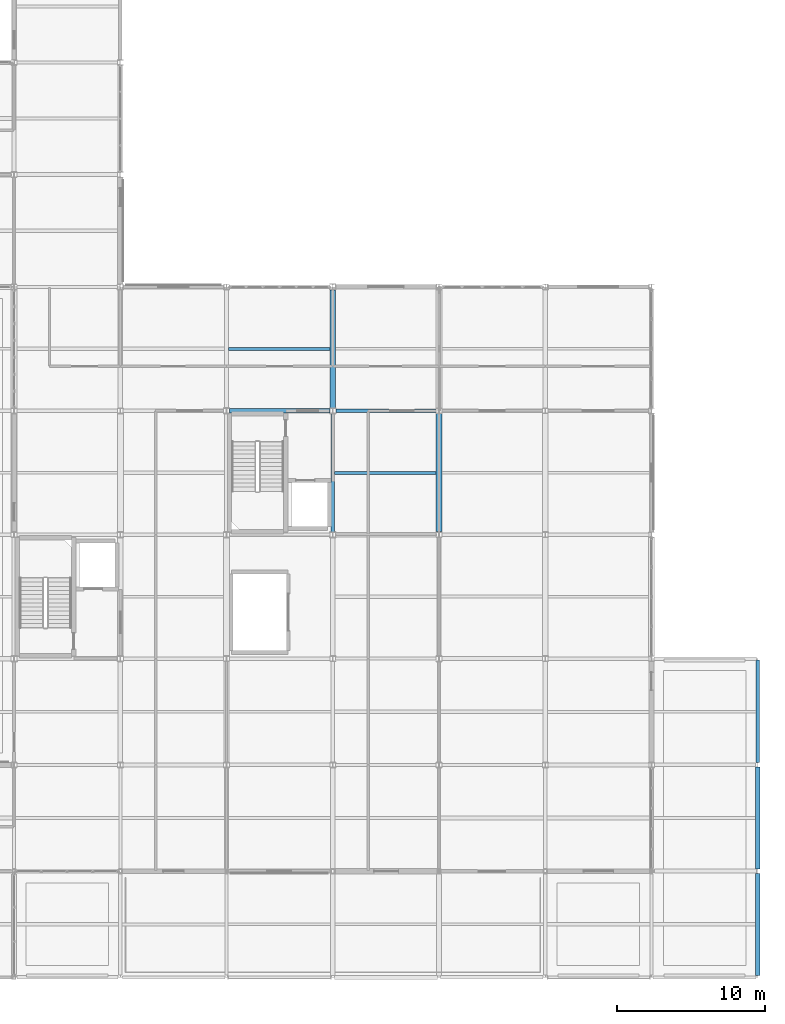
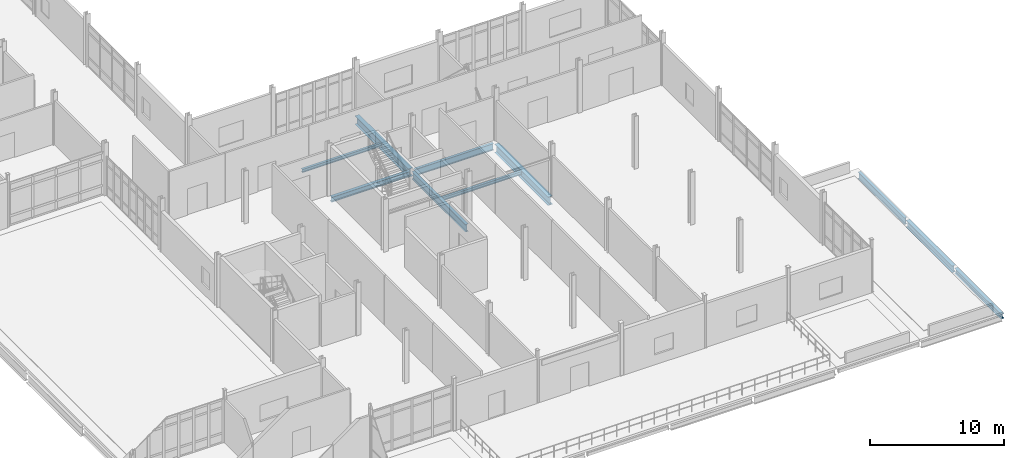
# One storey, part 107 of 186: 10 beams.
"""IFC4 building model written with IfcOpenShell, lengths in metres."""

from ifc_helpers import new_model, si_unit, direction, frame, origin, origin_2d, place, context, subcontext, project, spatial, i_section, extrude, material, material_profile, profile_set, type_object, element, save


model = new_model("IFC4")

# Units and contexts
model_context = context("Model", 3, precision=1e-05, world=origin(), true_north=direction((0.0, 1.0)))
body_context = subcontext(model_context, "Body", "Model", "MODEL_VIEW")
ifc_project = project(units=[si_unit("LENGTHUNIT", "METRE"), si_unit("AREAUNIT", "SQUARE_METRE"), si_unit("VOLUMEUNIT", "CUBIC_METRE"), si_unit("PLANEANGLEUNIT", "RADIAN"), si_unit("MASSUNIT", "GRAM", prefix="KILO")], contexts=[model_context])

# Site, building, storey
site_placement = place(None, origin())
site = spatial("IfcSite", under=ifc_project, at=site_placement, CompositionType="ELEMENT")
building_placement = place(site_placement, origin())
building = spatial("IfcBuilding", under=site, at=building_placement, Name="Calvrana Isthmian Art Gallery", CompositionType="ELEMENT")
storey_placement = place(building_placement, frame((0.0, 0.0, 5.39990234375)))
storey = spatial("IfcBuildingStorey", under=building, at=storey_placement, Name="L01", CompositionType="ELEMENT", Elevation=5.39990234375)

# Beams
ifc_material = material(Name="Steel ASTM A992 Gr 50", Category="steel")
ifc_material_profile_1 = material_profile(ifc_material, i_section(OverallWidth=0.279052734375, OverallDepth=0.4619140625, WebThickness=0.0107421875, FlangeThickness=0.017333984375, FilletRadius=0.02001953125, at=origin_2d()), Name="W18X76")
ifc_profile_set_1 = profile_set([ifc_material_profile_1], Name="Steel ASTM A992 Gr 50")
beam_type_1 = type_object("IfcBeamType", Name="BM-G-W18X76", PredefinedType="BEAM", material=ifc_profile_set_1)
beam_1_placement = place(storey_placement, frame((127.403076171875, 38.39990234375, -0.475830078125), z_axis=(1.0, 0.0, 0.0), x_axis=(0.0, 1.0, 0.0)))
element("IfcBeam", 1, at=beam_1_placement, inside=storey, type_object=beam_type_1, Name="Girder X L01 17-18/F", PredefinedType="BEAM", context=body_context, shape_type="SweptSolid", body=[
    extrude(i_section(OverallWidth=0.279052734375, OverallDepth=0.4619140625, WebThickness=0.0107421875, FlangeThickness=0.017333984375, FilletRadius=0.02001953125, at=origin_2d()), origin(), (0.0, 0.0, 1.0), 6.79638671875),
])
beam_2_placement = place(storey_placement, frame((163.199951171875, 0.126953125, -0.475830078125), z_axis=(0.0, 1.0, 0.0), x_axis=(-1.0, 0.0, 0.0)))
element("IfcBeam", 2, at=beam_2_placement, inside=storey, type_object=beam_type_1, Name="Girder Y L01 22/A-B", PredefinedType="BEAM", context=body_context, shape_type="SweptSolid", body=[
    extrude(i_section(OverallWidth=0.279052734375, OverallDepth=0.4619140625, WebThickness=0.0107421875, FlangeThickness=0.017333984375, FilletRadius=0.02001953125, at=origin_2d()), origin(), (0.0, 0.0, 1.0), 6.920654296875),
])
ifc_material_profile_2 = material_profile(ifc_material, i_section(OverallWidth=0.324951171875, OverallDepth=0.612060546875, WebThickness=0.0126953125, FlangeThickness=0.01904296875, FilletRadius=0.02197265625, at=origin_2d()), Name="W24X104")
ifc_profile_set_2 = profile_set([ifc_material_profile_2], Name="Steel ASTM A992 Gr 50")
beam_type_2 = type_object("IfcBeamType", Name="BM-G-W24X104", PredefinedType="BEAM", material=ifc_profile_set_2)
beam_3_placement = place(storey_placement, frame((163.199951171875, 7.352294921875, -0.55078125), z_axis=(0.0, 1.0, 0.0), x_axis=(-1.0, 0.0, 0.0)))
element("IfcBeam", 3, at=beam_3_placement, inside=storey, type_object=beam_type_2, Name="Girder Y L01 22/B-C", PredefinedType="BEAM", context=body_context, shape_type="SweptSolid", body=[
    extrude(i_section(OverallWidth=0.324951171875, OverallDepth=0.612060546875, WebThickness=0.0126953125, FlangeThickness=0.01904296875, FilletRadius=0.02197265625, at=origin_2d()), origin(), (0.0, 0.0, 1.0), 6.895263671875),
])
ifc_material_profile_3 = material_profile(ifc_material, i_section(OverallWidth=0.22802734375, OverallDepth=0.60693359375, WebThickness=0.01123046875, FlangeThickness=0.017333984375, FilletRadius=0.02197265625, at=origin_2d()), Name="W24X76")
ifc_profile_set_3 = profile_set([ifc_material_profile_3], Name="Steel ASTM A992 Gr 50")
beam_type_3 = type_object("IfcBeamType", Name="BM-G-W24X76", PredefinedType="BEAM", material=ifc_profile_set_3)
beam_4_placement = place(storey_placement, frame((134.6005859375, 38.39990234375, -0.54833984375), z_axis=(1.0, 0.0, 0.0), x_axis=(0.0, 1.0, 0.0)))
element("IfcBeam", 4, at=beam_4_placement, inside=storey, type_object=beam_type_3, Name="Girder X L01 18-19/F", PredefinedType="BEAM", context=body_context, shape_type="SweptSolid", body=[
    extrude(i_section(OverallWidth=0.22802734375, OverallDepth=0.60693359375, WebThickness=0.01123046875, FlangeThickness=0.017333984375, FilletRadius=0.02197265625, at=origin_2d()), origin(), (0.0, 0.0, 1.0), 6.7998046875),
])
beam_5_placement = place(storey_placement, frame((163.199951171875, 14.552490234375, -0.54833984375), z_axis=(0.0, 1.0, 0.0), x_axis=(-1.0, 0.0, 0.0)))
element("IfcBeam", 5, at=beam_5_placement, inside=storey, type_object=beam_type_3, Name="Girder Y L01 22/C-D", PredefinedType="BEAM", context=body_context, shape_type="SweptSolid", body=[
    extrude(i_section(OverallWidth=0.22802734375, OverallDepth=0.60693359375, WebThickness=0.01123046875, FlangeThickness=0.017333984375, FilletRadius=0.02197265625, at=origin_2d()), origin(), (0.0, 0.0, 1.0), 6.94580078125),
])
ifc_material_profile_4 = material_profile(ifc_material, i_section(OverallWidth=0.257080078125, OverallDepth=0.693115234375, WebThickness=0.014404296875, FlangeThickness=0.023681640625, FilletRadius=0.02392578125, at=origin_2d()), Name="W27X114")
ifc_profile_set_4 = profile_set([ifc_material_profile_4], Name="Steel ASTM A992 Gr 50")
beam_type_4 = type_object("IfcBeamType", Name="BM-G-W27X114", PredefinedType="BEAM", material=ifc_profile_set_4)
beam_6_placement = place(storey_placement, frame((134.39990234375, 30.197021484375, -0.59130859375), z_axis=(0.0, 1.0, 0.0), x_axis=(-1.0, 0.0, 0.0)))
element("IfcBeam", 6, at=beam_6_placement, inside=storey, type_object=beam_type_4, Name="Girder Y L01 18/E-F", PredefinedType="BEAM", context=body_context, shape_type="SweptSolid", body=[
    extrude(i_section(OverallWidth=0.257080078125, OverallDepth=0.693115234375, WebThickness=0.014404296875, FlangeThickness=0.023681640625, FilletRadius=0.02392578125, at=origin_2d()), origin(), (0.0, 0.0, 1.0), 8.00341796875),
])
ifc_material_profile_5 = material_profile(ifc_material, i_section(OverallWidth=0.381103515625, OverallDepth=0.77197265625, WebThickness=0.0166015625, FlangeThickness=0.027099609375, FilletRadius=0.02490234375, at=origin_2d()), Name="W30X173")
ifc_profile_set_5 = profile_set([ifc_material_profile_5], Name="Steel ASTM A992 Gr 50")
beam_type_5 = type_object("IfcBeamType", Name="BM-G-W30X173", PredefinedType="BEAM", material=ifc_profile_set_5)
beam_7_placement = place(storey_placement, frame((134.39990234375, 38.599609375, -0.630859375), z_axis=(0.0, 1.0, 0.0), x_axis=(-1.0, 0.0, 0.0)))
element("IfcBeam", 7, at=beam_7_placement, inside=storey, type_object=beam_type_5, Name="Girder Y L01 18/F-G", PredefinedType="BEAM", context=body_context, shape_type="SweptSolid", body=[
    extrude(i_section(OverallWidth=0.381103515625, OverallDepth=0.77197265625, WebThickness=0.0166015625, FlangeThickness=0.027099609375, FilletRadius=0.02490234375, at=origin_2d()), origin(), (0.0, 0.0, 1.0), 7.997314453125),
])
beam_8_placement = place(storey_placement, frame((141.60009765625, 30.20849609375, -0.630859375), z_axis=(0.0, 1.0, 0.0), x_axis=(-1.0, 0.0, 0.0)))
element("IfcBeam", 8, at=beam_8_placement, inside=storey, type_object=beam_type_5, Name="Girder Y L01 19/E-F", PredefinedType="BEAM", context=body_context, shape_type="SweptSolid", body=[
    extrude(i_section(OverallWidth=0.381103515625, OverallDepth=0.77197265625, WebThickness=0.0166015625, FlangeThickness=0.027099609375, FilletRadius=0.02490234375, at=origin_2d()), origin(), (0.0, 0.0, 1.0), 7.99853515625),
])
ifc_material_profile_6 = material_profile(ifc_material, i_section(OverallWidth=0.202880859375, OverallDepth=0.302001953125, WebThickness=0.007568359375, FlangeThickness=0.01318359375, FilletRadius=0.01611328125, at=origin_2d()), Name="W12X40")
ifc_profile_set_6 = profile_set([ifc_material_profile_6], Name="Steel ASTM A992 Gr 50")
beam_type_6 = type_object("IfcBeamType", Name="BM-J-W12X40", PredefinedType="JOIST", material=ifc_profile_set_6)
for number, where, z_axis, x_axis, name in (
    (9, (127.32861328125, 42.60009765625, -0.39599609375), (1.0, 0.0, 0.0), (0.0, 1.0, 0.0), "Composite joist L01 bay 16-05"),
    (10, (134.528564453125, 34.199951171875, -0.39599609375), (1.0, 0.0, 0.0), (0.0, 1.0, 0.0), "Composite joist L01 bay 17-04"),
):
    element("IfcBeam", number, at=place(storey_placement, frame(where, z_axis=z_axis, x_axis=x_axis)), inside=storey, type_object=beam_type_6, Name=name, PredefinedType="JOIST", context=body_context, shape_type="SweptSolid", body=[
        extrude(i_section(OverallWidth=0.202880859375, OverallDepth=0.302001953125, WebThickness=0.007568359375, FlangeThickness=0.01318359375, FilletRadius=0.01611328125, at=origin_2d()), origin(), (0.0, 0.0, 1.0), 6.880859375),
    ])

save(model, "model.ifc")
